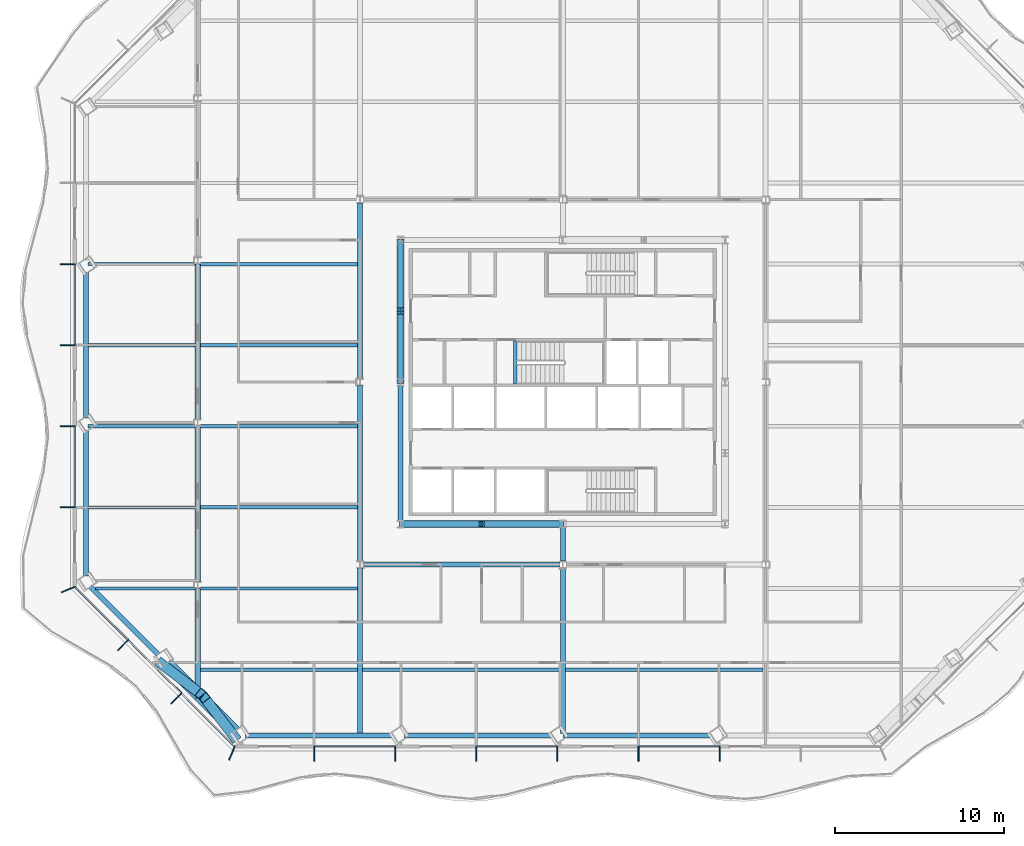
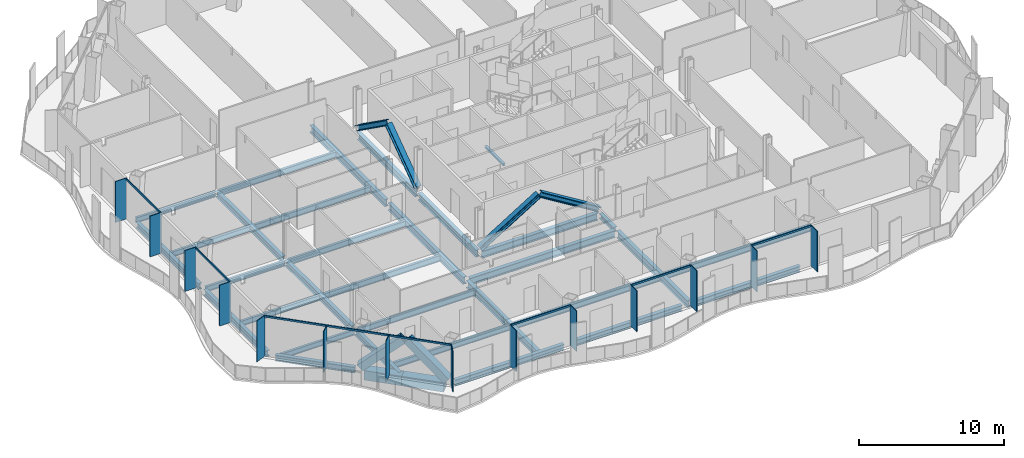
# One storey, part 3 of 22: 34 beams, 28 members, 3 elements without a shape of their own.
"""IFC4 building model written with IfcOpenShell, lengths in metres."""

from ifc_helpers import new_model, si_unit, direction, frame, origin, origin_2d, place, context, subcontext, project, spatial, rectangle, hollow_rectangle, i_section, extrude, material, material_profile, profile_set, type_object, element, aggregate, save


model = new_model("IFC4")

# Units and contexts
model_context = context("Model", 3, precision=1e-05, world=origin(), true_north=direction((0.0, 1.0)))
body_context = subcontext(model_context, "Body", "Model", "MODEL_VIEW")
ifc_project = project(units=[si_unit("LENGTHUNIT", "METRE"), si_unit("AREAUNIT", "SQUARE_METRE"), si_unit("VOLUMEUNIT", "CUBIC_METRE"), si_unit("PLANEANGLEUNIT", "RADIAN"), si_unit("MASSUNIT", "GRAM", prefix="KILO")], contexts=[model_context])

# Site, building, storey
site_placement = place(None, origin())
site = spatial("IfcSite", under=ifc_project, at=site_placement, CompositionType="ELEMENT")
building_placement = place(site_placement, origin())
building = spatial("IfcBuilding", under=site, at=building_placement, Name="Cairn Pilgrim Tower", CompositionType="ELEMENT")
storey_placement = place(building_placement, frame((0.0, 0.0, 112.199951171875)))
storey = spatial("IfcBuildingStorey", under=building, at=storey_placement, Name="L27", CompositionType="ELEMENT", Elevation=112.199951171875)

# Members
ifc_material_1 = material(Name="Structural steel S460M", Category="steel")
ifc_material_profile_1 = material_profile(ifc_material_1, hollow_rectangle(XDim=0.60009765625, YDim=0.60009765625, WallThickness=0.034912109375, at=origin_2d()), Name="BOX 600x600x35")
ifc_profile_set_1 = profile_set([ifc_material_profile_1], Name="Structural steel S460M")
member_type_1 = type_object("IfcMemberType", Name="BOX 600x600x35 BRACE", PredefinedType="BRACE", material=ifc_profile_set_1)
member_1_placement = place(storey_placement, frame((-16.614990234375, -14.22119140625, 0.150146484375), z_axis=(0.597570315283, -0.456734206015, 0.659017134335), x_axis=(0.607256013764, 0.794506220081, 0.0)))
element("IfcMember", 1, at=member_1_placement, inside=storey, type_object=member_type_1, Name="XB-SW2-S1-1", PredefinedType="BRACE", context=body_context, shape_type="SweptSolid", body=[
    extrude(hollow_rectangle(XDim=0.60009765625, YDim=0.60009765625, WallThickness=0.034912109375, at=origin_2d()), origin(), (0.0, 0.0, 1.0), 3.97314453125),
])
member_2_placement = place(storey_placement, frame((-12.191650390625, -18.64453125, 0.150146484375), z_axis=(-0.456702345279, 0.597547578781, 0.659059829537), x_axis=(-0.794515510754, -0.607243858076, 0.0)))
element("IfcMember", 2, at=member_2_placement, inside=storey, type_object=member_type_1, Name="XB-SW2-S1-2", PredefinedType="BRACE", context=body_context, shape_type="SweptSolid", body=[
    extrude(hollow_rectangle(XDim=0.60009765625, YDim=0.60009765625, WallThickness=0.034912109375, at=origin_2d()), origin(), (0.0, 0.0, 1.0), 3.972900390625),
])

# Beams
ifc_material_2 = material(Name="Structural steel S355J2", Category="steel")
ifc_material_profile_2 = material_profile(ifc_material_2, hollow_rectangle(XDim=0.699951171875, YDim=0.800048828125, WallThickness=0.0400390625, at=origin_2d()), Name="BOX 700x800x40")
ifc_profile_set_2 = profile_set([ifc_material_profile_2], Name="Structural steel S355J2")
beam_type_1 = type_object("IfcBeamType", Name="BOX 700x800x40 RING GIRDER", PredefinedType="SPANDREL", material=ifc_profile_set_2)
beam_1_placement = place(storey_placement, frame((-16.2294921875, -14.231689453125, -0.550048828125), z_axis=(0.707061327082, -0.70715223237, 0.0), x_axis=(0.70715223237, 0.707061327082, 0.0)))
element("IfcBeam", 3, at=beam_1_placement, inside=storey, type_object=beam_type_1, Name="RG1-SW2-S1-1", PredefinedType="SPANDREL", context=body_context, shape_type="SweptSolid", body=[
    extrude(hollow_rectangle(XDim=0.699951171875, YDim=0.800048828125, WallThickness=0.0400390625, at=origin_2d()), origin(), (0.0, 0.0, 1.0), 2.685546875),
])
beam_2_placement = place(storey_placement, frame((-14.33056640625, -16.130859375, -0.550048828125), z_axis=(0.707106781187, -0.707106781187, 0.0), x_axis=(0.707106781187, 0.707106781187, 0.0)))
element("IfcBeam", 4, at=beam_2_placement, inside=storey, type_object=beam_type_1, Name="RG1-SW2-S1-2", PredefinedType="SPANDREL", context=body_context, shape_type="SweptSolid", body=[
    extrude(hollow_rectangle(XDim=0.699951171875, YDim=0.800048828125, WallThickness=0.0400390625, at=origin_2d()), origin(), (0.0, 0.0, 1.0), 3.009765625),
])

# Curtain wall, members
ifc_material_3 = material(Name="Aluminium alloy 6063-T6 bronze anodised with Bronze tinted laminated low-E glass 8+16+8.8", Category="aluminium")
curtain_wall_type_1 = type_object("IfcCurtainWallType", Name="TOWER STICK CURTAIN WALL NS", PredefinedType="NOTDEFINED", material=ifc_material_3)
curtain_wall_1_placement = place(storey_placement, origin())
curtain_wall_1 = element("IfcCurtainWall", 5, at=curtain_wall_1_placement, inside=storey, type_object=curtain_wall_type_1, Name="Tower Stick Curtain Wall Ns S", PredefinedType="NOTDEFINED")
ifc_material_4 = material(Name="Aluminium alloy 6063-T6 bronze anodised", Category="aluminium")
ifc_material_profile_3 = material_profile(ifc_material_4, rectangle(XDim=0.89990234375, YDim=0.06005859375, at=origin_2d()), Name="FIN MULLION 60x900 BRONZE")
ifc_profile_set_3 = profile_set([ifc_material_profile_3], Name="Aluminium alloy 6063-T6 bronze anodised")
member_type_2 = type_object("IfcMemberType", Name="FIN MULLION 60x900 BRONZE", PredefinedType="MULLION", material=ifc_profile_set_3)
member_3_placement = place(storey_placement, frame((-12.377685546875, -19.5517578125, 0.0), z_axis=(0.0, 0.0, 1.0), x_axis=(-0.382683432365, -0.923879532511, 0.0)))
member_3 = element("IfcMember", 6, at=member_3_placement, type_object=member_type_2, Name="Fin mullion S1", PredefinedType="MULLION", context=body_context, shape_type="SweptSolid", body=[
    extrude(rectangle(XDim=0.89990234375, YDim=0.06005859375, at=origin_2d()), origin(), (0.0, 0.0, 1.0), 3.449951171875),
])
member_4_placement = place(storey_placement, frame((-7.5205078125, -19.583740234375, 0.0), z_axis=(0.0, 0.0, 1.0), x_axis=(0.0, -1.0, 0.0)))
member_4 = element("IfcMember", 7, at=member_4_placement, type_object=member_type_2, Name="Fin mullion S2", PredefinedType="MULLION", context=body_context, shape_type="SweptSolid", body=[
    extrude(rectangle(XDim=0.89990234375, YDim=0.06005859375, at=origin_2d()), origin(), (0.0, 0.0, 1.0), 3.449951171875),
])
member_5_placement = place(storey_placement, frame((-2.720458984375, -19.583740234375, 0.0), z_axis=(0.0, 0.0, 1.0), x_axis=(0.0, -1.0, 0.0)))
member_5 = element("IfcMember", 8, at=member_5_placement, type_object=member_type_2, Name="Fin mullion S3", PredefinedType="MULLION", context=body_context, shape_type="SweptSolid", body=[
    extrude(rectangle(XDim=0.89990234375, YDim=0.06005859375, at=origin_2d()), origin(), (0.0, 0.0, 1.0), 3.449951171875),
])
member_6_placement = place(storey_placement, frame((2.07958984375, -19.583740234375, 0.0), z_axis=(0.0, 0.0, 1.0), x_axis=(0.0, -1.0, 0.0)))
member_6 = element("IfcMember", 9, at=member_6_placement, type_object=member_type_2, Name="Fin mullion S4", PredefinedType="MULLION", context=body_context, shape_type="SweptSolid", body=[
    extrude(rectangle(XDim=0.89990234375, YDim=0.06005859375, at=origin_2d()), origin(), (0.0, 0.0, 1.0), 3.449951171875),
])
member_7_placement = place(storey_placement, frame((6.87939453125, -19.583740234375, 0.0), z_axis=(0.0, 0.0, 1.0), x_axis=(0.0, -1.0, 0.0)))
member_7 = element("IfcMember", 10, at=member_7_placement, type_object=member_type_2, Name="Fin mullion S5", PredefinedType="MULLION", context=body_context, shape_type="SweptSolid", body=[
    extrude(rectangle(XDim=0.89990234375, YDim=0.06005859375, at=origin_2d()), origin(), (0.0, 0.0, 1.0), 3.449951171875),
])
member_8_placement = place(storey_placement, frame((11.679443359375, -19.583740234375, 0.0), z_axis=(0.0, 0.0, 1.0), x_axis=(0.0, -1.0, 0.0)))
member_8 = element("IfcMember", 11, at=member_8_placement, type_object=member_type_2, Name="Fin mullion S6", PredefinedType="MULLION", context=body_context, shape_type="SweptSolid", body=[
    extrude(rectangle(XDim=0.89990234375, YDim=0.06005859375, at=origin_2d()), origin(), (0.0, 0.0, 1.0), 3.449951171875),
])
member_9_placement = place(storey_placement, frame((16.4794921875, -19.583740234375, 0.0), z_axis=(0.0, 0.0, 1.0), x_axis=(0.0, -1.0, 0.0)))
member_9 = element("IfcMember", 12, at=member_9_placement, type_object=member_type_2, Name="Fin mullion S7", PredefinedType="MULLION", context=body_context, shape_type="SweptSolid", body=[
    extrude(rectangle(XDim=0.89990234375, YDim=0.06005859375, at=origin_2d()), origin(), (0.0, 0.0, 1.0), 3.449951171875),
])

curtain_wall_type_2 = type_object("IfcCurtainWallType", Name="TOWER STICK CURTAIN WALL EW", PredefinedType="NOTDEFINED", material=ifc_material_3)
curtain_wall_2_placement = place(storey_placement, origin())
curtain_wall_2 = element("IfcCurtainWall", 13, at=curtain_wall_2_placement, inside=storey, type_object=curtain_wall_type_2, Name="Tower Stick Curtain Wall Ew W", PredefinedType="NOTDEFINED")
member_10_placement = place(storey_placement, frame((-22.090576171875, 9.38623046875, 0.0), z_axis=(0.0, 0.0, 1.0), x_axis=(-1.0, 0.0, 0.0)))
member_10 = element("IfcMember", 14, at=member_10_placement, type_object=member_type_2, Name="Fin mullion W3", PredefinedType="MULLION", context=body_context, shape_type="SweptSolid", body=[
    extrude(rectangle(XDim=0.89990234375, YDim=0.06005859375, at=origin_2d()), origin(), (0.0, 0.0, 1.0), 3.449951171875),
])
member_11_placement = place(storey_placement, frame((-22.090576171875, 4.58642578125, 0.0), z_axis=(0.0, 0.0, 1.0), x_axis=(-1.0, 0.0, 0.0)))
member_11 = element("IfcMember", 15, at=member_11_placement, type_object=member_type_2, Name="Fin mullion W4", PredefinedType="MULLION", context=body_context, shape_type="SweptSolid", body=[
    extrude(rectangle(XDim=0.89990234375, YDim=0.06005859375, at=origin_2d()), origin(), (0.0, 0.0, 1.0), 3.449951171875),
])
member_12_placement = place(storey_placement, frame((-22.090576171875, -0.213623046875, 0.0), z_axis=(0.0, 0.0, 1.0), x_axis=(-1.0, 0.0, 0.0)))
member_12 = element("IfcMember", 16, at=member_12_placement, type_object=member_type_2, Name="Fin mullion W5", PredefinedType="MULLION", context=body_context, shape_type="SweptSolid", body=[
    extrude(rectangle(XDim=0.89990234375, YDim=0.06005859375, at=origin_2d()), origin(), (0.0, 0.0, 1.0), 3.449951171875),
])
member_13_placement = place(storey_placement, frame((-22.090576171875, -5.013671875, 0.0), z_axis=(0.0, 0.0, 1.0), x_axis=(-1.0, 0.0, 0.0)))
member_13 = element("IfcMember", 17, at=member_13_placement, type_object=member_type_2, Name="Fin mullion W6", PredefinedType="MULLION", context=body_context, shape_type="SweptSolid", body=[
    extrude(rectangle(XDim=0.89990234375, YDim=0.06005859375, at=origin_2d()), origin(), (0.0, 0.0, 1.0), 3.449951171875),
])

curtain_wall_type_3 = type_object("IfcCurtainWallType", Name="CHAMFER CORNER CURTAIN WALL", PredefinedType="NOTDEFINED", material=ifc_material_3)
curtain_wall_3_placement = place(storey_placement, origin())
curtain_wall_3 = element("IfcCurtainWall", 18, at=curtain_wall_3_placement, inside=storey, type_object=curtain_wall_type_3, Name="Chamfer Corner Curtain Wall SW", PredefinedType="NOTDEFINED")
member_14_placement = place(storey_placement, frame((-22.05859375, -9.870849609375, 0.0), z_axis=(0.0, 0.0, 1.0), x_axis=(-0.923879532511, -0.382683432365, 0.0)))
member_14 = element("IfcMember", 19, at=member_14_placement, type_object=member_type_2, Name="Fin mullion SW1", PredefinedType="MULLION", context=body_context, shape_type="SweptSolid", body=[
    extrude(rectangle(XDim=0.89990234375, YDim=0.06005859375, at=origin_2d()), origin(), (0.0, 0.0, 1.0), 3.449951171875),
])
member_15_placement = place(storey_placement, frame((-18.81640625, -13.158203125, 0.0), z_axis=(0.0, 0.0, 1.0), x_axis=(-0.707106781187, -0.707106781187, 0.0)))
member_15 = element("IfcMember", 20, at=member_15_placement, type_object=member_type_2, Name="Fin mullion SW2", PredefinedType="MULLION", context=body_context, shape_type="SweptSolid", body=[
    extrude(rectangle(XDim=0.89990234375, YDim=0.06005859375, at=origin_2d()), origin(), (0.0, 0.0, 1.0), 3.449951171875),
])
member_16_placement = place(storey_placement, frame((-15.6650390625, -16.3095703125, 0.0), z_axis=(0.0, 0.0, 1.0), x_axis=(-0.707106781187, -0.707106781187, 0.0)))
member_16 = element("IfcMember", 21, at=member_16_placement, type_object=member_type_2, Name="Fin mullion SW3", PredefinedType="MULLION", context=body_context, shape_type="SweptSolid", body=[
    extrude(rectangle(XDim=0.89990234375, YDim=0.06005859375, at=origin_2d()), origin(), (0.0, 0.0, 1.0), 3.449951171875),
])

# Members
ifc_material_profile_4 = material_profile(ifc_material_1, i_section(OverallWidth=0.408935546875, OverallDepth=0.425048828125, WebThickness=0.03271484375, FlangeThickness=0.052490234375, FilletRadius=0.014892578125, at=origin_2d()), Name="HD 400x421")
ifc_profile_set_4 = profile_set([ifc_material_profile_4], Name="Structural steel S460M")
member_type_3 = type_object("IfcMemberType", Name="HD 400x421 BRACE", PredefinedType="BRACE", material=ifc_profile_set_4)
member_17_placement = place(storey_placement, frame((-2.357666015625, -6.0, 0.10009765625), z_axis=(0.851063308605, 0.0, 0.525063086444), x_axis=(0.0, 1.0, 0.0)))
element("IfcMember", 22, at=member_17_placement, inside=storey, type_object=member_type_3, Name="KB-1A", PredefinedType="BRACE", context=body_context, shape_type="SweptSolid", body=[
    extrude(i_section(OverallWidth=0.408935546875, OverallDepth=0.425048828125, WebThickness=0.03271484375, FlangeThickness=0.052490234375, FilletRadius=0.014892578125, at=origin_2d()), origin(), (0.0, 0.0, 1.0), 5.527587890625),
])
member_18_placement = place(storey_placement, frame((7.15771484375, -6.0, 0.10009765625), z_axis=(-0.851075484508, 0.0, 0.525043350277), x_axis=(0.0, -1.0, 0.0)))
element("IfcMember", 23, at=member_18_placement, inside=storey, type_object=member_type_3, Name="KB-1B", PredefinedType="BRACE", context=body_context, shape_type="SweptSolid", body=[
    extrude(i_section(OverallWidth=0.408935546875, OverallDepth=0.425048828125, WebThickness=0.03271484375, FlangeThickness=0.052490234375, FilletRadius=0.014892578125, at=origin_2d()), origin(), (0.0, 0.0, 1.0), 5.52783203125),
])
for number, where, z_axis, x_axis, name in (
    (24, (-2.39990234375, 10.757568359375, 0.10009765625), (0.0, -0.814281054922, 0.58047081201), (1.0, 0.0, 0.0), "KB-4A"),
    (25, (-2.39990234375, 2.4423828125, 0.10009765625), (0.0, 0.814281054922, 0.58047081201), (-1.0, 0.0, 0.0), "KB-4B"),
):
    element("IfcMember", number, at=place(storey_placement, frame(where, z_axis=z_axis, x_axis=x_axis)), inside=storey, type_object=member_type_3, Name=name, PredefinedType="BRACE", context=body_context, shape_type="SweptSolid", body=[
        extrude(i_section(OverallWidth=0.408935546875, OverallDepth=0.425048828125, WebThickness=0.03271484375, FlangeThickness=0.052490234375, FilletRadius=0.014892578125, at=origin_2d()), origin(), (0.0, 0.0, 1.0), 4.99755859375),
    ])

# Beams
ifc_material_profile_5 = material_profile(ifc_material_2, i_section(OverallWidth=0.300048828125, OverallDepth=0.39990234375, WebThickness=0.013427734375, FlangeThickness=0.02392578125, FilletRadius=0.027099609375, at=origin_2d()), Name="HEB 400")
ifc_profile_set_5 = profile_set([ifc_material_profile_5], Name="Structural steel S355J2")
beam_type_2 = type_object("IfcBeamType", Name="HEB 400 GIRDER", PredefinedType="BEAM", material=ifc_profile_set_5)
beam_3_placement = place(storey_placement, frame((7.199951171875, -8.195556640625, -0.349853515625), z_axis=(0.0, 1.0, 0.0), x_axis=(-1.0, 0.0, 0.0)))
element("IfcBeam", 26, at=beam_3_placement, inside=storey, type_object=beam_type_2, Name="PG3-E1", PredefinedType="BEAM", context=body_context, shape_type="SweptSolid", body=[
    extrude(i_section(OverallWidth=0.300048828125, OverallDepth=0.39990234375, WebThickness=0.013427734375, FlangeThickness=0.02392578125, FilletRadius=0.027099609375, at=origin_2d()), origin(), (0.0, 0.0, 1.0), 1.983642578125),
])
ifc_material_profile_6 = material_profile(ifc_material_2, i_section(OverallWidth=0.300048828125, OverallDepth=0.5, WebThickness=0.014404296875, FlangeThickness=0.028076171875, FilletRadius=0.027099609375, at=origin_2d()), Name="HEB 500")
ifc_profile_set_6 = profile_set([ifc_material_profile_6], Name="Structural steel S355J2")
beam_type_3 = type_object("IfcBeamType", Name="HEB 500 GIRDER", PredefinedType="BEAM", material=ifc_profile_set_6)
beam_4_placement = place(storey_placement, frame((-14.39990234375, -15.879150390625, -0.39990234375), z_axis=(0.0, 1.0, 0.0), x_axis=(-1.0, 0.0, 0.0)))
element("IfcBeam", 27, at=beam_4_placement, inside=storey, type_object=beam_type_3, Name="PG1-1", PredefinedType="BEAM", context=body_context, shape_type="SweptSolid", body=[
    extrude(i_section(OverallWidth=0.300048828125, OverallDepth=0.5, WebThickness=0.014404296875, FlangeThickness=0.028076171875, FilletRadius=0.027099609375, at=origin_2d()), origin(), (0.0, 0.0, 1.0), 6.07958984375),
])
for number, where, z_axis, x_axis, name in (
    (28, (-14.39990234375, -9.400390625, -0.39990234375), (0.0, 1.0, 0.0), (-1.0, 0.0, 0.0), "PG1-2"),
    (29, (-14.39990234375, 0.199462890625, -0.39990234375), (0.0, 1.0, 0.0), (-1.0, 0.0, 0.0), "PG1-3"),
):
    element("IfcBeam", number, at=place(storey_placement, frame(where, z_axis=z_axis, x_axis=x_axis)), inside=storey, type_object=beam_type_3, Name=name, PredefinedType="BEAM", context=body_context, shape_type="SweptSolid", body=[
        extrude(i_section(OverallWidth=0.300048828125, OverallDepth=0.5, WebThickness=0.014404296875, FlangeThickness=0.028076171875, FilletRadius=0.027099609375, at=origin_2d()), origin(), (0.0, 0.0, 1.0), 9.200927734375),
    ])
ifc_material_profile_7 = material_profile(ifc_material_2, i_section(OverallWidth=0.300048828125, OverallDepth=0.5, WebThickness=0.014404296875, FlangeThickness=0.028076171875, FilletRadius=0.027099609375, at=origin_2d()), Name="HEB 500")
ifc_profile_set_7 = profile_set([ifc_material_profile_7], Name="Structural steel S355J2")
beam_type_4 = type_object("IfcBeamType", Name="HEB 500 RING GIRDER", PredefinedType="SPANDREL", material=ifc_profile_set_7)
for number, where, z_axis, x_axis, name in (
    (30, (-11.587646484375, -18.513671875, -0.39990234375), (1.0, 0.0, 0.0), (0.0, 1.0, 0.0), "RG1-S1-S2"),
    (31, (-2.174072265625, -18.513671875, -0.39990234375), (1.0, 0.0, 0.0), (0.0, 1.0, 0.0), "RG1-S2-S3"),
    (32, (7.239501953125, -18.513671875, -0.39990234375), (1.0, 0.0, 0.0), (0.0, 1.0, 0.0), "RG1-S3-S4"),
):
    element("IfcBeam", number, at=place(storey_placement, frame(where, z_axis=z_axis, x_axis=x_axis)), inside=storey, type_object=beam_type_4, Name=name, PredefinedType="SPANDREL", context=body_context, shape_type="SweptSolid", body=[
        extrude(i_section(OverallWidth=0.300048828125, OverallDepth=0.5, WebThickness=0.014404296875, FlangeThickness=0.028076171875, FilletRadius=0.027099609375, at=origin_2d()), origin(), (0.0, 0.0, 1.0), 8.693603515625),
    ])
beam_5_placement = place(storey_placement, frame((-21.0205078125, 8.902099609375, -0.39990234375), z_axis=(0.0, -1.0, 0.0), x_axis=(1.0, 0.0, 0.0)))
element("IfcBeam", 33, at=beam_5_placement, inside=storey, type_object=beam_type_4, Name="RG1-W2-W3", PredefinedType="SPANDREL", context=body_context, shape_type="SweptSolid", body=[
    extrude(i_section(OverallWidth=0.300048828125, OverallDepth=0.5, WebThickness=0.014404296875, FlangeThickness=0.028076171875, FilletRadius=0.027099609375, at=origin_2d()), origin(), (0.0, 0.0, 1.0), 8.631591796875),
])
beam_6_placement = place(storey_placement, frame((-21.0205078125, -0.449462890625, -0.39990234375), z_axis=(0.0, -1.0, 0.0), x_axis=(1.0, 0.0, 0.0)))
element("IfcBeam", 34, at=beam_6_placement, inside=storey, type_object=beam_type_4, Name="RG1-W3-SW1", PredefinedType="SPANDREL", context=body_context, shape_type="SweptSolid", body=[
    extrude(i_section(OverallWidth=0.300048828125, OverallDepth=0.5, WebThickness=0.014404296875, FlangeThickness=0.028076171875, FilletRadius=0.027099609375, at=origin_2d()), origin(), (0.0, 0.0, 1.0), 8.63134765625),
])
beam_7_placement = place(storey_placement, frame((-20.765869140625, -9.6953125, -0.39990234375), z_axis=(0.707085347538, -0.707128214185, 0.0), x_axis=(0.707128214185, 0.707085347538, 0.0)))
element("IfcBeam", 35, at=beam_7_placement, inside=storey, type_object=beam_type_4, Name="RG1-SW1-SW2", PredefinedType="SPANDREL", context=body_context, shape_type="SweptSolid", body=[
    extrude(i_section(OverallWidth=0.300048828125, OverallDepth=0.5, WebThickness=0.014404296875, FlangeThickness=0.028076171875, FilletRadius=0.027099609375, at=origin_2d()), origin(), (0.0, 0.0, 1.0), 5.6953125),
])
ifc_material_profile_8 = material_profile(ifc_material_2, i_section(OverallWidth=0.300048828125, OverallDepth=0.60009765625, WebThickness=0.015380859375, FlangeThickness=0.030029296875, FilletRadius=0.027099609375, at=origin_2d()), Name="HEB 600")
ifc_profile_set_8 = profile_set([ifc_material_profile_8], Name="Structural steel S355J2")
beam_type_5 = type_object("IfcBeamType", Name="HEB 600 CORE BEAM", PredefinedType="BEAM", material=ifc_profile_set_8)
beam_8_placement = place(storey_placement, frame((-2.209228515625, -6.0, -0.449951171875), z_axis=(1.0, 0.0, 0.0), x_axis=(0.0, 1.0, 0.0)))
element("IfcBeam", 36, at=beam_8_placement, inside=storey, type_object=beam_type_5, Name="CB-1", PredefinedType="BEAM", context=body_context, shape_type="SweptSolid", body=[
    extrude(i_section(OverallWidth=0.300048828125, OverallDepth=0.60009765625, WebThickness=0.015380859375, FlangeThickness=0.030029296875, FilletRadius=0.027099609375, at=origin_2d()), origin(), (0.0, 0.0, 1.0), 9.218505859375),
])
for number, where, z_axis, x_axis, name in (
    (37, (-2.39990234375, 10.609130859375, -0.449951171875), (0.0, -1.0, 0.0), (1.0, 0.0, 0.0), "CB-7"),
    (38, (-2.39990234375, 2.209228515625, -0.449951171875), (0.0, -1.0, 0.0), (1.0, 0.0, 0.0), "CB-8"),
):
    element("IfcBeam", number, at=place(storey_placement, frame(where, z_axis=z_axis, x_axis=x_axis)), inside=storey, type_object=beam_type_5, Name=name, PredefinedType="BEAM", context=body_context, shape_type="SweptSolid", body=[
        extrude(i_section(OverallWidth=0.300048828125, OverallDepth=0.60009765625, WebThickness=0.015380859375, FlangeThickness=0.030029296875, FilletRadius=0.027099609375, at=origin_2d()), origin(), (0.0, 0.0, 1.0), 8.018310546875),
    ])
ifc_material_profile_9 = material_profile(ifc_material_2, i_section(OverallWidth=0.300048828125, OverallDepth=0.60009765625, WebThickness=0.015380859375, FlangeThickness=0.030029296875, FilletRadius=0.027099609375, at=origin_2d()), Name="HEB 600")
ifc_profile_set_9 = profile_set([ifc_material_profile_9], Name="Structural steel S355J2")
beam_type_6 = type_object("IfcBeamType", Name="HEB 600 GIRDER", PredefinedType="BEAM", material=ifc_profile_set_9)
beam_9_placement = place(storey_placement, frame((-4.800048828125, -18.393798828125, -0.449951171875), z_axis=(0.0, 1.0, 0.0), x_axis=(-1.0, 0.0, 0.0)))
element("IfcBeam", 39, at=beam_9_placement, inside=storey, type_object=beam_type_6, Name="PG2-1", PredefinedType="BEAM", context=body_context, shape_type="SweptSolid", body=[
    extrude(i_section(OverallWidth=0.300048828125, OverallDepth=0.60009765625, WebThickness=0.015380859375, FlangeThickness=0.030029296875, FilletRadius=0.027099609375, at=origin_2d()), origin(), (0.0, 0.0, 1.0), 9.789306640625),
])
for number, where, z_axis, x_axis, name in (
    (40, (-4.800048828125, -8.195556640625, -0.449951171875), (0.0, 1.0, 0.0), (-1.0, 0.0, 0.0), "PG2-2"),
    (41, (-4.800048828125, 2.6044921875, -0.449951171875), (0.0, 1.0, 0.0), (-1.0, 0.0, 0.0), "PG2-3"),
):
    element("IfcBeam", number, at=place(storey_placement, frame(where, z_axis=z_axis, x_axis=x_axis)), inside=storey, type_object=beam_type_6, Name=name, PredefinedType="BEAM", context=body_context, shape_type="SweptSolid", body=[
        extrude(i_section(OverallWidth=0.300048828125, OverallDepth=0.60009765625, WebThickness=0.015380859375, FlangeThickness=0.030029296875, FilletRadius=0.027099609375, at=origin_2d()), origin(), (0.0, 0.0, 1.0), 10.39111328125),
    ])
beam_10_placement = place(storey_placement, frame((7.199951171875, -18.393798828125, -0.449951171875), z_axis=(0.0, 1.0, 0.0), x_axis=(-1.0, 0.0, 0.0)))
element("IfcBeam", 42, at=beam_10_placement, inside=storey, type_object=beam_type_6, Name="PG3-1", PredefinedType="BEAM", context=body_context, shape_type="SweptSolid", body=[
    extrude(i_section(OverallWidth=0.300048828125, OverallDepth=0.60009765625, WebThickness=0.015380859375, FlangeThickness=0.030029296875, FilletRadius=0.027099609375, at=origin_2d()), origin(), (0.0, 0.0, 1.0), 9.789306640625),
])
ifc_material_profile_10 = material_profile(ifc_material_2, i_section(OverallWidth=0.300048828125, OverallDepth=0.60009765625, WebThickness=0.015380859375, FlangeThickness=0.030029296875, FilletRadius=0.027099609375, at=origin_2d()), Name="HEB 600")
ifc_profile_set_10 = profile_set([ifc_material_profile_10], Name="Structural steel S355J2")
beam_type_7 = type_object("IfcBeamType", Name="HEB 600 INNER GIRDER", PredefinedType="BEAM", material=ifc_profile_set_10)
beam_11_placement = place(storey_placement, frame((-4.595458984375, -8.39990234375, -0.449951171875), z_axis=(1.0, 0.0, 0.0), x_axis=(0.0, 1.0, 0.0)))
element("IfcBeam", 43, at=beam_11_placement, inside=storey, type_object=beam_type_7, Name="IG1-1", PredefinedType="BEAM", context=body_context, shape_type="SweptSolid", body=[
    extrude(i_section(OverallWidth=0.300048828125, OverallDepth=0.60009765625, WebThickness=0.015380859375, FlangeThickness=0.030029296875, FilletRadius=0.027099609375, at=origin_2d()), origin(), (0.0, 0.0, 1.0), 11.591064453125),
])
ifc_material_profile_11 = material_profile(ifc_material_2, i_section(OverallWidth=0.18994140625, OverallDepth=0.449951171875, WebThickness=0.009521484375, FlangeThickness=0.0146484375, FilletRadius=0.02099609375, at=origin_2d()), Name="IPE 450")
ifc_profile_set_11 = profile_set([ifc_material_profile_11], Name="Structural steel S355J2")
beam_type_8 = type_object("IfcBeamType", Name="IPE 450 SECONDARY BEAM", PredefinedType="JOIST", material=ifc_profile_set_11)
beam_12_placement = place(storey_placement, frame((-20.465576171875, -9.813720703125, -0.375), z_axis=(1.0, 0.0, 0.0), x_axis=(0.0, 1.0, 0.0)))
element("IfcBeam", 44, at=beam_12_placement, inside=storey, type_object=beam_type_8, Name="SB2-1", PredefinedType="JOIST", context=body_context, shape_type="SweptSolid", body=[
    extrude(i_section(OverallWidth=0.18994140625, OverallDepth=0.449951171875, WebThickness=0.009521484375, FlangeThickness=0.0146484375, FilletRadius=0.02099609375, at=origin_2d()), origin(), (0.0, 0.0, 1.0), 5.91552734375),
])
for number, where, z_axis, x_axis, name in (
    (45, (-20.900390625, -5.013671875, -0.375), (1.0, 0.0, 0.0), (0.0, 1.0, 0.0), "SB3-1"),
    (46, (-20.900390625, -0.213623046875, -0.375), (1.0, 0.0, 0.0), (0.0, 1.0, 0.0), "SB4-1"),
    (47, (-20.900390625, 4.586181640625, -0.375), (1.0, 0.0, 0.0), (0.0, 1.0, 0.0), "SB5-1"),
    (48, (-20.900390625, 9.38623046875, -0.375), (1.0, 0.0, 0.0), (0.0, 1.0, 0.0), "SB6-1"),
):
    element("IfcBeam", number, at=place(storey_placement, frame(where, z_axis=z_axis, x_axis=x_axis)), inside=storey, type_object=beam_type_8, Name=name, PredefinedType="JOIST", context=body_context, shape_type="SweptSolid", body=[
        extrude(i_section(OverallWidth=0.18994140625, OverallDepth=0.449951171875, WebThickness=0.009521484375, FlangeThickness=0.0146484375, FilletRadius=0.02099609375, at=origin_2d()), origin(), (0.0, 0.0, 1.0), 6.350341796875),
    ])
ifc_material_profile_12 = material_profile(ifc_material_2, i_section(OverallWidth=0.199951171875, OverallDepth=0.5, WebThickness=0.01025390625, FlangeThickness=0.01611328125, FilletRadius=0.02099609375, at=origin_2d()), Name="IPE 500")
ifc_profile_set_12 = profile_set([ifc_material_profile_12], Name="Structural steel S355J2")
beam_type_9 = type_object("IfcBeamType", Name="IPE 500 SECONDARY BEAM", PredefinedType="JOIST", material=ifc_profile_set_12)
for number, where, z_axis, x_axis, name in (
    (49, (-14.25, -14.61376953125, -0.39990234375), (1.0, 0.0, 0.0), (0.0, 1.0, 0.0), "SB1-1"),
    (50, (-14.25, -9.813720703125, -0.39990234375), (1.0, 0.0, 0.0), (0.0, 1.0, 0.0), "SB2-2"),
    (51, (-14.25, -5.013671875, -0.39990234375), (1.0, 0.0, 0.0), (0.0, 1.0, 0.0), "SB3-2"),
    (52, (-14.25, -0.213623046875, -0.39990234375), (1.0, 0.0, 0.0), (0.0, 1.0, 0.0), "SB4-2"),
    (53, (-14.25, 4.586181640625, -0.39990234375), (1.0, 0.0, 0.0), (0.0, 1.0, 0.0), "SB5-2"),
    (54, (-14.25, 9.38623046875, -0.39990234375), (1.0, 0.0, 0.0), (0.0, 1.0, 0.0), "SB6-2"),
):
    element("IfcBeam", number, at=place(storey_placement, frame(where, z_axis=z_axis, x_axis=x_axis)), inside=storey, type_object=beam_type_9, Name=name, PredefinedType="JOIST", context=body_context, shape_type="SweptSolid", body=[
        extrude(i_section(OverallWidth=0.199951171875, OverallDepth=0.5, WebThickness=0.01025390625, FlangeThickness=0.01611328125, FilletRadius=0.02099609375, at=origin_2d()), origin(), (0.0, 0.0, 1.0), 9.300048828125),
    ])
ifc_material_profile_13 = material_profile(ifc_material_2, i_section(OverallWidth=0.2099609375, OverallDepth=0.550048828125, WebThickness=0.010986328125, FlangeThickness=0.01708984375, FilletRadius=0.02392578125, at=origin_2d()), Name="IPE 550")
ifc_profile_set_13 = profile_set([ifc_material_profile_13], Name="Structural steel S355J2")
beam_type_10 = type_object("IfcBeamType", Name="IPE 550 SECONDARY BEAM", PredefinedType="JOIST", material=ifc_profile_set_13)
for number, where, z_axis, x_axis, name in (
    (55, (-4.64990234375, -14.61376953125, -0.425048828125), (1.0, 0.0, 0.0), (0.0, 1.0, 0.0), "SB1-2"),
    (56, (7.35009765625, -14.61376953125, -0.425048828125), (1.0, 0.0, 0.0), (0.0, 1.0, 0.0), "SB1-3"),
):
    element("IfcBeam", number, at=place(storey_placement, frame(where, z_axis=z_axis, x_axis=x_axis)), inside=storey, type_object=beam_type_10, Name=name, PredefinedType="JOIST", context=body_context, shape_type="SweptSolid", body=[
        extrude(i_section(OverallWidth=0.2099609375, OverallDepth=0.550048828125, WebThickness=0.010986328125, FlangeThickness=0.01708984375, FilletRadius=0.02392578125, at=origin_2d()), origin(), (0.0, 0.0, 1.0), 11.699951171875),
    ])
ifc_material_profile_14 = material_profile(ifc_material_2, i_section(OverallWidth=0.199951171875, OverallDepth=0.199951171875, WebThickness=0.009033203125, FlangeThickness=0.014892578125, FilletRadius=0.01806640625, at=origin_2d()), Name="HE 200 B")
ifc_profile_set_14 = profile_set([ifc_material_profile_14], Name="Structural steel S355J2")
beam_type_11 = type_object("IfcBeamType", Name="STAIR LANDING BEAM HE 200 B", PredefinedType="BEAM", material=ifc_profile_set_14)
beam_13_placement = place(storey_placement, frame((4.37548828125, 2.27490234375, -0.25), z_axis=(0.0, 1.0, 0.0), x_axis=(-1.0, 0.0, 0.0)))
element("IfcBeam", 57, at=beam_13_placement, inside=storey, type_object=beam_type_11, Name="STAIR LANDING BEAM LD-HE200B", PredefinedType="BEAM", context=body_context, shape_type="SweptSolid", body=[
    extrude(i_section(OverallWidth=0.199951171875, OverallDepth=0.199951171875, WebThickness=0.009033203125, FlangeThickness=0.014892578125, FilletRadius=0.01806640625, at=origin_2d()), origin(), (0.0, 0.0, 1.0), 2.550048828125),
])

# Member
ifc_material_profile_15 = material_profile(ifc_material_4, rectangle(XDim=0.080078125, YDim=0.14990234375, at=origin_2d()), Name="TRANSOM 80x150 BRONZE")
ifc_profile_set_15 = profile_set([ifc_material_profile_15], Name="Aluminium alloy 6063-T6 bronze anodised")
member_type_4 = type_object("IfcMemberType", Name="TRANSOM 80x150 BRONZE", PredefinedType="USERDEFINED", material=ifc_profile_set_15)
member_19_placement = place(storey_placement, frame((-7.490478515625, -19.16357421875, 3.375), z_axis=(1.0, 0.0, 0.0), x_axis=(0.0, 1.0, 0.0)))
member_19 = element("IfcMember", 58, at=member_19_placement, type_object=member_type_4, Name="Transom S2", ObjectType="TRANSOM", PredefinedType="USERDEFINED", context=body_context, shape_type="SweptSolid", body=[
    extrude(rectangle(XDim=0.080078125, YDim=0.14990234375, at=origin_2d()), origin(), (0.0, 0.0, 1.0), 4.739990234375),
])

member_20_placement = place(storey_placement, frame((2.109619140625, -19.16357421875, 3.375), z_axis=(1.0, 0.0, 0.0), x_axis=(0.0, 1.0, 0.0)))
member_20 = element("IfcMember", 59, at=member_20_placement, type_object=member_type_4, Name="Transom S4", ObjectType="TRANSOM", PredefinedType="USERDEFINED", context=body_context, shape_type="SweptSolid", body=[
    extrude(rectangle(XDim=0.080078125, YDim=0.14990234375, at=origin_2d()), origin(), (0.0, 0.0, 1.0), 4.739990234375),
])

member_21_placement = place(storey_placement, frame((11.70947265625, -19.16357421875, 3.375), z_axis=(1.0, 0.0, 0.0), x_axis=(0.0, 1.0, 0.0)))
member_21 = element("IfcMember", 60, at=member_21_placement, type_object=member_type_4, Name="Transom S6", ObjectType="TRANSOM", PredefinedType="USERDEFINED", context=body_context, shape_type="SweptSolid", body=[
    extrude(rectangle(XDim=0.080078125, YDim=0.14990234375, at=origin_2d()), origin(), (0.0, 0.0, 1.0), 4.739990234375),
])

aggregate(curtain_wall_1, [member_3, member_4, member_5, member_6, member_7, member_8, member_9, member_19, member_20, member_21])

member_22_placement = place(storey_placement, frame((-21.67041015625, 9.3564453125, 3.375), z_axis=(0.0, -1.0, 0.0), x_axis=(1.0, 0.0, 0.0)))
member_22 = element("IfcMember", 61, at=member_22_placement, type_object=member_type_4, Name="Transom W3", ObjectType="TRANSOM", PredefinedType="USERDEFINED", context=body_context, shape_type="SweptSolid", body=[
    extrude(rectangle(XDim=0.080078125, YDim=0.14990234375, at=origin_2d()), origin(), (0.0, 0.0, 1.0), 4.739990234375),
])

member_23_placement = place(storey_placement, frame((-21.67041015625, -0.24365234375, 3.375), z_axis=(0.0, -1.0, 0.0), x_axis=(1.0, 0.0, 0.0)))
member_23 = element("IfcMember", 62, at=member_23_placement, type_object=member_type_4, Name="Transom W5", ObjectType="TRANSOM", PredefinedType="USERDEFINED", context=body_context, shape_type="SweptSolid", body=[
    extrude(rectangle(XDim=0.080078125, YDim=0.14990234375, at=origin_2d()), origin(), (0.0, 0.0, 1.0), 4.739990234375),
])

aggregate(curtain_wall_2, [member_10, member_11, member_12, member_13, member_22, member_23])

member_24_placement = place(storey_placement, frame((-21.64208984375, -9.73828125, 3.375), z_axis=(0.70707895165, -0.707134609628, 0.0), x_axis=(0.707134609628, 0.70707895165, 0.0)))
member_24 = element("IfcMember", 63, at=member_24_placement, type_object=member_type_4, Name="Transom SW1", ObjectType="TRANSOM", PredefinedType="USERDEFINED", context=body_context, shape_type="SweptSolid", body=[
    extrude(rectangle(XDim=0.080078125, YDim=0.14990234375, at=origin_2d()), origin(), (0.0, 0.0, 1.0), 4.386474609375),
])

member_25_placement = place(storey_placement, frame((-18.498046875, -12.882568359375, 3.375), z_axis=(0.707106781187, -0.707106781187, 0.0), x_axis=(0.707106781187, 0.707106781187, 0.0)))
member_25 = element("IfcMember", 64, at=member_25_placement, type_object=member_type_4, Name="Transom SW2", ObjectType="TRANSOM", PredefinedType="USERDEFINED", context=body_context, shape_type="SweptSolid", body=[
    extrude(rectangle(XDim=0.080078125, YDim=0.14990234375, at=origin_2d()), origin(), (0.0, 0.0, 1.0), 4.396240234375),
])

member_26_placement = place(storey_placement, frame((-15.346923828125, -16.03369140625, 3.375), z_axis=(0.707134609628, -0.70707895165, 0.0), x_axis=(0.70707895165, 0.707134609628, 0.0)))
member_26 = element("IfcMember", 65, at=member_26_placement, type_object=member_type_4, Name="Transom SW3", ObjectType="TRANSOM", PredefinedType="USERDEFINED", context=body_context, shape_type="SweptSolid", body=[
    extrude(rectangle(XDim=0.080078125, YDim=0.14990234375, at=origin_2d()), origin(), (0.0, 0.0, 1.0), 4.386474609375),
])

aggregate(curtain_wall_3, [member_14, member_15, member_16, member_24, member_25, member_26])

save(model, "model.ifc")
